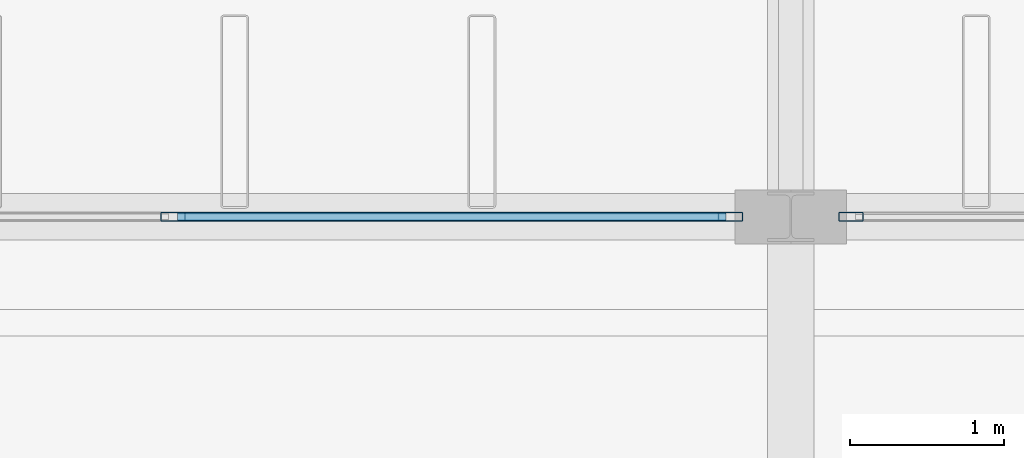
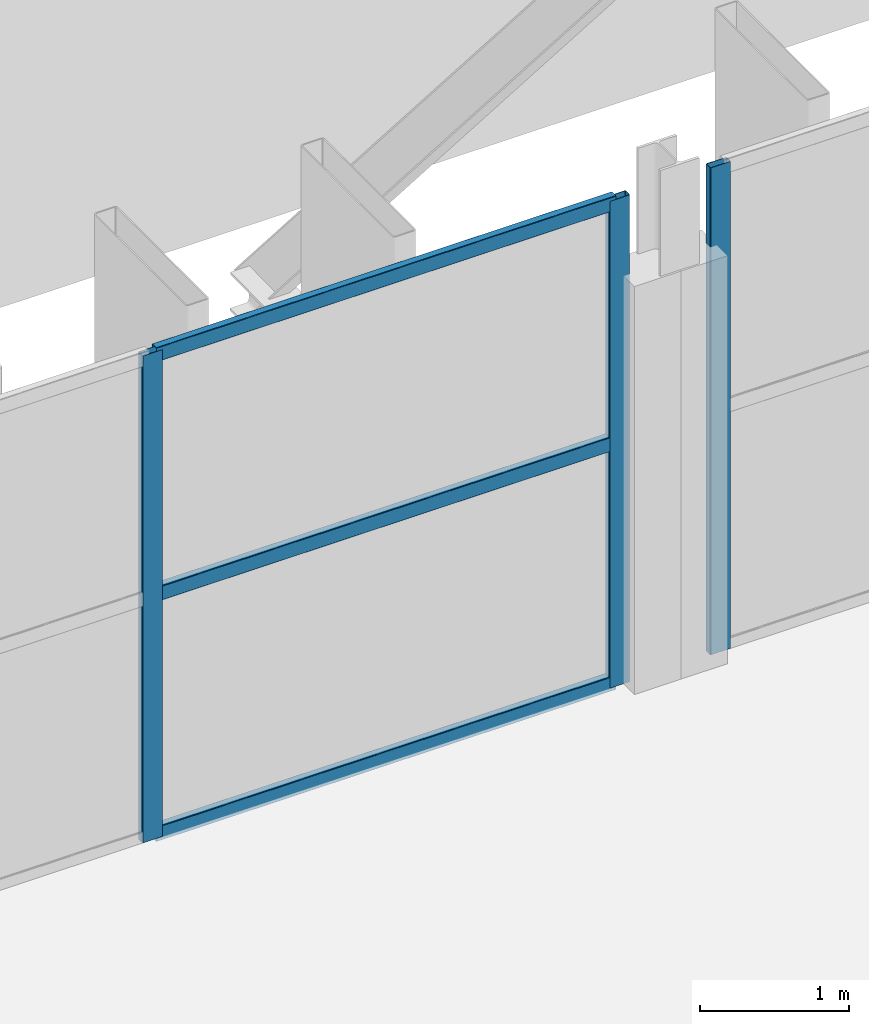
# One storey, part 51 of 93: 6 members, 2 elements without a shape of their own.
"""IFC4 building model written with IfcOpenShell, lengths in metres."""

from ifc_helpers import new_model, si_unit, direction, frame, origin, origin_2d, place, context, subcontext, project, spatial, hollow_rectangle, extrude, material, layer, layer_set, material_profile, profile_set, type_object, element, aggregate, save


model = new_model("IFC4")

# Units and contexts
model_context = context("Model", 3, precision=1e-05, world=origin(), true_north=direction((0.0, 1.0)))
body_context = subcontext(model_context, "Body", "Model", "MODEL_VIEW")
ifc_project = project(units=[si_unit("LENGTHUNIT", "METRE"), si_unit("AREAUNIT", "SQUARE_METRE"), si_unit("VOLUMEUNIT", "CUBIC_METRE"), si_unit("PLANEANGLEUNIT", "RADIAN"), si_unit("MASSUNIT", "GRAM", prefix="KILO")], contexts=[model_context])

# Site, building, storey
site_placement = place(None, origin())
site = spatial("IfcSite", under=ifc_project, at=site_placement, CompositionType="ELEMENT")
building_placement = place(site_placement, origin())
building = spatial("IfcBuilding", under=site, at=building_placement, Name="Vekula Escarpment Museum", CompositionType="ELEMENT")
storey_placement = place(building_placement, frame((0.0, 0.0, 22.199951171875)))
storey = spatial("IfcBuildingStorey", under=building, at=storey_placement, Name="L05", CompositionType="ELEMENT", Elevation=22.199951171875)

# Curtain wall, member
ifc_material_1 = material(Name="Aluminium thermally broken framing", Category="aluminium")
ifc_layer_1 = layer(ifc_material_1, 0.179931640625)
ifc_layer_set_1 = layer_set([ifc_layer_1], Name="Aluminium thermally broken framing")
curtain_wall_type_1 = type_object("IfcCurtainWallType", Name="CW-SYS-07", PredefinedType="NOTDEFINED", material=ifc_layer_set_1)
curtain_wall_1_placement = place(storey_placement, origin())
curtain_wall_1 = element("IfcCurtainWall", 1, at=curtain_wall_1_placement, inside=storey, type_object=curtain_wall_type_1, Name="Curtain Wall CW-L05-177", PredefinedType="NOTDEFINED")
ifc_material_2 = material(Name="Aluminium anodized mullion", Category="aluminium")
ifc_material_profile_1 = material_profile(ifc_material_2, hollow_rectangle(XDim=0.06005859375, YDim=0.159912109375, WallThickness=0.00390625, InnerFilletRadius=0.00390625, OuterFilletRadius=0.008056640625, at=origin_2d()), Name="ALU 160x60x4")
ifc_profile_set_1 = profile_set([ifc_material_profile_1], Name="Aluminium anodized mullion")
member_type_1 = type_object("IfcMemberType", Name="CW-MUL-160", PredefinedType="MULLION", material=ifc_profile_set_1)
member_1_placement = place(storey_placement, frame((110.389892578125, 90.39990234375, 0.0), z_axis=(0.0, 0.0, 1.0), x_axis=(0.0, -1.0, 0.0)))
member_1 = element("IfcMember", 2, at=member_1_placement, type_object=member_type_1, Name="CW-07 mullion 3", PredefinedType="MULLION", context=body_context, shape_type="SweptSolid", body=[
    extrude(hollow_rectangle(XDim=0.06005859375, YDim=0.159912109375, WallThickness=0.00390625, InnerFilletRadius=0.00390625, OuterFilletRadius=0.008056640625, at=origin_2d()), origin(), (0.0, 0.0, 1.0), 3.97998046875),
])
aggregate(curtain_wall_1, [member_1])

# Curtain wall, members
ifc_material_3 = material(Name="Aluminium thermally broken framing", Category="aluminium")
ifc_layer_2 = layer(ifc_material_3, 0.179931640625)
ifc_layer_set_2 = layer_set([ifc_layer_2], Name="Aluminium thermally broken framing")
curtain_wall_type_2 = type_object("IfcCurtainWallType", Name="CW-SYS-08", PredefinedType="NOTDEFINED", material=ifc_layer_set_2)
curtain_wall_2_placement = place(storey_placement, origin())
curtain_wall_2 = element("IfcCurtainWall", 3, at=curtain_wall_2_placement, inside=storey, type_object=curtain_wall_type_2, Name="Curtain Wall CW-L05-178", PredefinedType="NOTDEFINED")
member_2_placement = place(storey_placement, frame((109.610107421875, 90.39990234375, 0.0), z_axis=(0.0, 0.0, 1.0), x_axis=(0.0, -1.0, 0.0)))
member_2 = element("IfcMember", 4, at=member_2_placement, type_object=member_type_1, Name="CW-08 mullion 1", PredefinedType="MULLION", context=body_context, shape_type="SweptSolid", body=[
    extrude(hollow_rectangle(XDim=0.06005859375, YDim=0.159912109375, WallThickness=0.00390625, InnerFilletRadius=0.00390625, OuterFilletRadius=0.008056640625, at=origin_2d()), origin(), (0.0, 0.0, 1.0), 3.97998046875),
])
member_3_placement = place(storey_placement, frame((106.0, 90.39990234375, 0.0), z_axis=(0.0, 0.0, 1.0), x_axis=(0.0, -1.0, 0.0)))
member_3 = element("IfcMember", 5, at=member_3_placement, type_object=member_type_1, Name="CW-08 mullion 2", PredefinedType="MULLION", context=body_context, shape_type="SweptSolid", body=[
    extrude(hollow_rectangle(XDim=0.06005859375, YDim=0.159912109375, WallThickness=0.00390625, InnerFilletRadius=0.00390625, OuterFilletRadius=0.008056640625, at=origin_2d()), origin(), (0.0, 0.0, 1.0), 3.97998046875),
])
ifc_material_4 = material(Name="Aluminium anodized transom", Category="aluminium")
ifc_material_profile_2 = material_profile(ifc_material_4, hollow_rectangle(XDim=0.06005859375, YDim=0.1201171875, WallThickness=0.00390625, InnerFilletRadius=0.00390625, OuterFilletRadius=0.008056640625, at=origin_2d()), Name="ALU 120x60x4")
ifc_profile_set_2 = profile_set([ifc_material_profile_2], Name="Aluminium anodized transom")
member_type_2 = type_object("IfcMemberType", Name="CW-TRN-120", PredefinedType="USERDEFINED", material=ifc_profile_set_2)
member_4_placement = place(storey_placement, frame((109.580078125, 90.39990234375, 0.030029296875), z_axis=(-1.0, 0.0, 0.0), x_axis=(0.0, -1.0, 0.0)))
member_4 = element("IfcMember", 6, at=member_4_placement, type_object=member_type_2, Name="CW-08 transom 1.1", ObjectType="TRANSOM", PredefinedType="USERDEFINED", context=body_context, shape_type="SweptSolid", body=[
    extrude(hollow_rectangle(XDim=0.06005859375, YDim=0.1201171875, WallThickness=0.00390625, InnerFilletRadius=0.00390625, OuterFilletRadius=0.008056640625, at=origin_2d()), origin(), (0.0, 0.0, 1.0), 3.550048828125),
])
member_5_placement = place(storey_placement, frame((109.580078125, 90.39990234375, 1.989990234375), z_axis=(-1.0, 0.0, 0.0), x_axis=(0.0, -1.0, 0.0)))
member_5 = element("IfcMember", 7, at=member_5_placement, type_object=member_type_2, Name="CW-08 transom 1.2", ObjectType="TRANSOM", PredefinedType="USERDEFINED", context=body_context, shape_type="SweptSolid", body=[
    extrude(hollow_rectangle(XDim=0.06005859375, YDim=0.1201171875, WallThickness=0.00390625, InnerFilletRadius=0.00390625, OuterFilletRadius=0.008056640625, at=origin_2d()), origin(), (0.0, 0.0, 1.0), 3.550048828125),
])
member_6_placement = place(storey_placement, frame((109.580078125, 90.39990234375, 3.949951171875), z_axis=(-1.0, 0.0, 0.0), x_axis=(0.0, -1.0, 0.0)))
member_6 = element("IfcMember", 8, at=member_6_placement, type_object=member_type_2, Name="CW-08 transom 1.3", ObjectType="TRANSOM", PredefinedType="USERDEFINED", context=body_context, shape_type="SweptSolid", body=[
    extrude(hollow_rectangle(XDim=0.06005859375, YDim=0.1201171875, WallThickness=0.00390625, InnerFilletRadius=0.00390625, OuterFilletRadius=0.008056640625, at=origin_2d()), origin(), (0.0, 0.0, 1.0), 3.550048828125),
])
aggregate(curtain_wall_2, [member_2, member_3, member_4, member_5, member_6])

save(model, "model.ifc")
